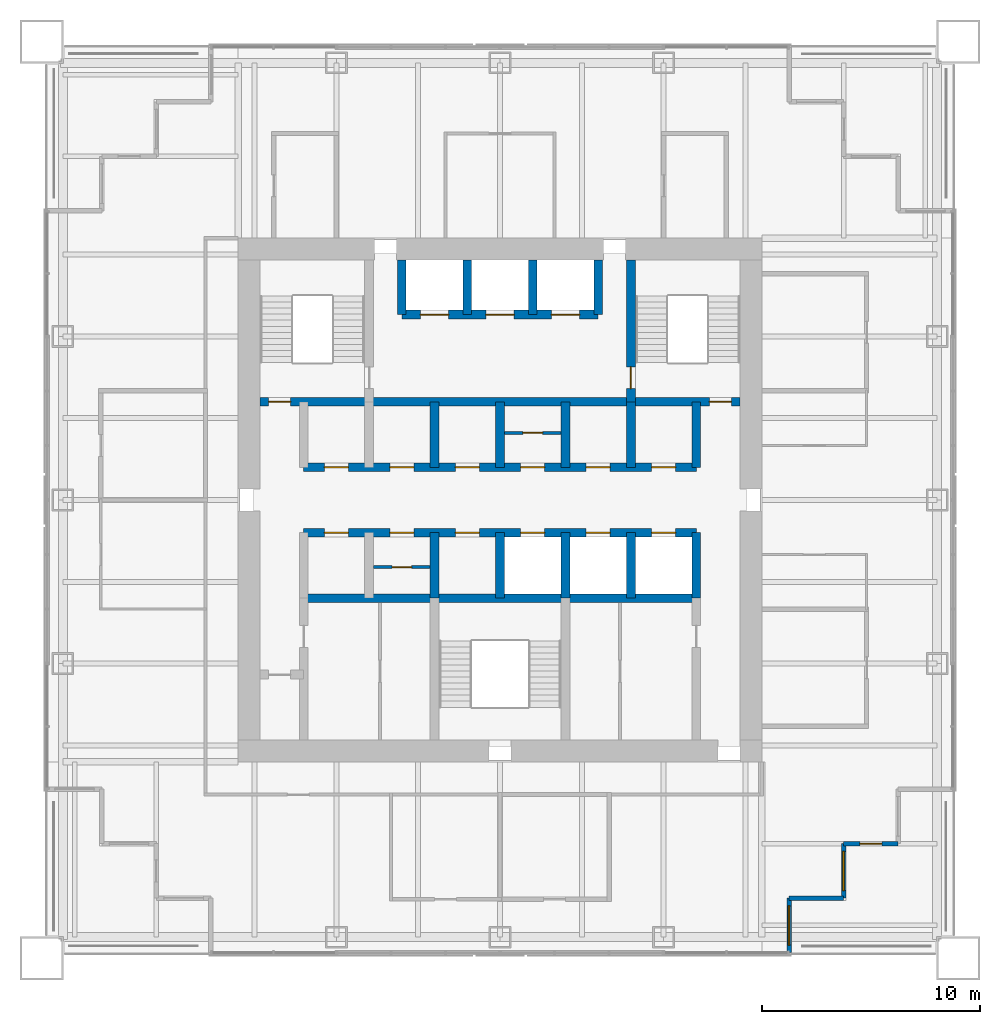
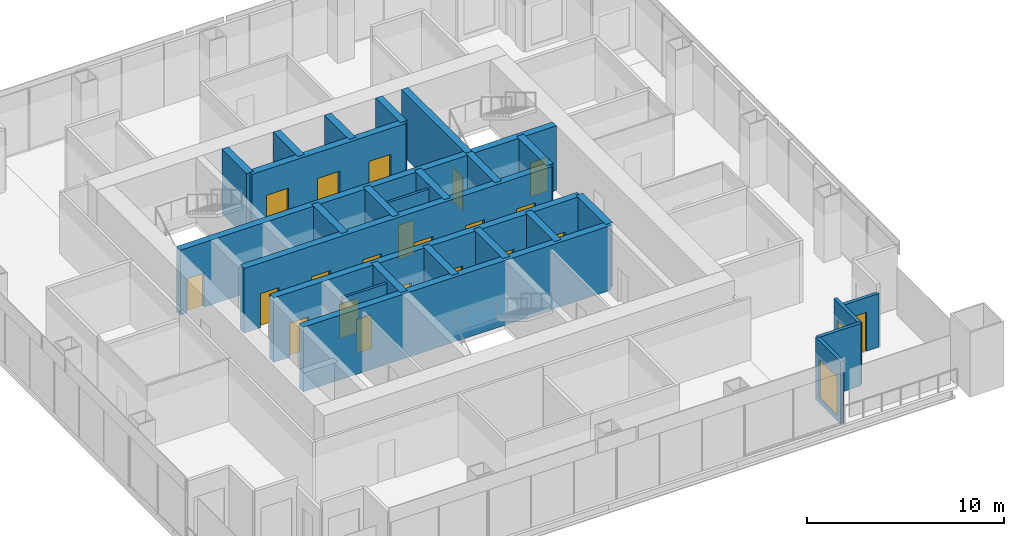
# One storey, part 10 of 14: 26 walls, 21 doors, 2 windows, 23 openings.
"""IFC4 building model written with IfcOpenShell, lengths in metres."""

from ifc_helpers import new_model, si_unit, direction, frame, frame_2d, origin, place, context, subcontext, project, spatial, rectangle, extrude, material, layer, layer_set, type_object, element, fill, save


model = new_model("IFC4")

# Units and contexts
model_context = context("Model", 3, precision=1e-05, world=origin(), true_north=direction((0.0, 1.0)))
body_context = subcontext(model_context, "Body", "Model", "MODEL_VIEW")
ifc_project = project(units=[si_unit("LENGTHUNIT", "METRE"), si_unit("AREAUNIT", "SQUARE_METRE"), si_unit("VOLUMEUNIT", "CUBIC_METRE"), si_unit("PLANEANGLEUNIT", "RADIAN"), si_unit("MASSUNIT", "GRAM", prefix="KILO")], contexts=[model_context])

# Site, building, storey
site_placement = place(None, origin())
site = spatial("IfcSite", under=ifc_project, at=site_placement, CompositionType="ELEMENT")
building_placement = place(site_placement, origin())
building = spatial("IfcBuilding", under=site, at=building_placement, Name="Tarangal Relay Tower", CompositionType="ELEMENT")
storey_placement = place(building_placement, frame((0.0, 0.0, 311.89990234375)))
storey = spatial("IfcBuildingStorey", under=building, at=storey_placement, Name="L69", CompositionType="ELEMENT", Elevation=311.89990234375)

# Wall, openings, doors
ifc_material_1 = material(Name="Concrete fc' 60 MPa", Category="concrete")
ifc_layer_1 = layer(ifc_material_1, 0.39990234375)
ifc_layer_set_1 = layer_set([ifc_layer_1], Name="Core inner wall 400")
wall_type_1 = type_object("IfcWallType", Name="Core inner wall 400", PredefinedType="SHEAR", material=ifc_layer_set_1)
wall_1_placement = place(storey_placement, frame((-11.0, 4.5, 0.0), z_axis=(0.0, 0.0, 1.0), x_axis=(1.0, 0.0, 0.0)))
wall_1 = element("IfcWall", 1, at=wall_1_placement, inside=storey, type_object=wall_type_1, Name="Core wall Y45 L69", PredefinedType="SHEAR", context=body_context, shape_type="SweptSolid", body=[
    extrude(rectangle(XDim=22.0, YDim=0.39990234375, at=frame_2d((11.0, 0.0))), origin(), (0.0, 0.0, 1.0), 4.0),
])
opening_1_placement = place(wall_1_placement, frame((0.39990234375, 0.0, 0.0)))
opening_1 = element("IfcOpeningElement", 2, at=opening_1_placement, cuts=wall_1, Name="Opening FD1", PredefinedType="OPENING", context=body_context, shape_type="SweptSolid", body=[
    extrude(rectangle(XDim=1.0, YDim=2.10009765625, at=frame_2d((0.5, 1.050048828125))), frame((0.0, 0.2099609375, 0.0), z_axis=(0.0, -1.0, 0.0), x_axis=(1.0, 0.0, 0.0)), (0.0, 0.0, 1.0), 0.419921875),
])
opening_2_placement = place(wall_1_placement, frame((20.60009765625, 0.0, 0.0)))
opening_2 = element("IfcOpeningElement", 3, at=opening_2_placement, cuts=wall_1, Name="Opening FD1", PredefinedType="OPENING", context=body_context, shape_type="SweptSolid", body=[
    extrude(rectangle(XDim=1.0, YDim=2.10009765625, at=frame_2d((0.5, 1.050048828125))), frame((0.0, 0.2099609375, 0.0), z_axis=(0.0, -1.0, 0.0), x_axis=(1.0, 0.0, 0.0)), (0.0, 0.0, 1.0), 0.419921875),
])
ifc_material_2 = material(Name="Steel door with hardwood frame", Category="steel")
door_type_1 = type_object("IfcDoorType", Name="Fire door 1000 x 2100", OperationType="SINGLE_SWING_LEFT", PredefinedType="DOOR", material=ifc_material_2)
door_1_placement = place(opening_1_placement, origin())
door_1 = element("IfcDoor", 4, at=door_1_placement, inside=storey, type_object=door_type_1, Name="Stair ST-A door from corridor L69", OperationType="SINGLE_SWING_LEFT", OverallHeight=2.10009765625, OverallWidth=1.0, PredefinedType="DOOR", context=body_context, shape_type="SweptSolid", body=[
    extrude(rectangle(XDim=1.0, YDim=2.10009765625, at=frame_2d((0.5, 1.050048828125))), frame((0.0, 0.02490234375, 0.0), z_axis=(0.0, -1.0, 0.0), x_axis=(1.0, 0.0, 0.0)), (0.0, 0.0, 1.0), 0.050048828125),
])
fill(opening_1, door_1)
door_2_placement = place(opening_2_placement, origin())
door_2 = element("IfcDoor", 5, at=door_2_placement, inside=storey, type_object=door_type_1, Name="Stair ST-B door from corridor L69", OperationType="SINGLE_SWING_LEFT", OverallHeight=2.10009765625, OverallWidth=1.0, PredefinedType="DOOR", context=body_context, shape_type="SweptSolid", body=[
    extrude(rectangle(XDim=1.0, YDim=2.10009765625, at=frame_2d((0.5, 1.050048828125))), frame((0.0, 0.02490234375, 0.0), z_axis=(0.0, -1.0, 0.0), x_axis=(1.0, 0.0, 0.0)), (0.0, 0.0, 1.0), 0.050048828125),
])
fill(opening_2, door_2)

wall_2_placement = place(storey_placement, frame((-9.0, 1.5, 0.0), z_axis=(0.0, 0.0, 1.0), x_axis=(1.0, 0.0, 0.0)))
wall_2 = element("IfcWall", 6, at=wall_2_placement, inside=storey, type_object=wall_type_1, Name="Core wall Y15 L69", PredefinedType="SHEAR", context=body_context, shape_type="SweptSolid", body=[
    extrude(rectangle(XDim=18.0, YDim=0.39990234375, at=frame_2d((9.0, 0.0))), origin(), (0.0, 0.0, 1.0), 4.0),
])
opening_3_placement = place(wall_2_placement, frame((0.949951171875, 0.0, 0.0)))
opening_3 = element("IfcOpeningElement", 7, at=opening_3_placement, cuts=wall_2, Name="Opening D4", PredefinedType="OPENING", context=body_context, shape_type="SweptSolid", body=[
    extrude(rectangle(XDim=1.10009765625, YDim=2.10009765625, at=frame_2d((0.550048828125, 1.050048828125))), frame((0.0, 0.2099609375, 0.0), z_axis=(0.0, -1.0, 0.0), x_axis=(1.0, 0.0, 0.0)), (0.0, 0.0, 1.0), 0.419921875),
])
opening_4_placement = place(wall_2_placement, frame((3.949951171875, 0.0, 0.0)))
opening_4 = element("IfcOpeningElement", 8, at=opening_4_placement, cuts=wall_2, Name="Opening D4", PredefinedType="OPENING", context=body_context, shape_type="SweptSolid", body=[
    extrude(rectangle(XDim=1.10009765625, YDim=2.10009765625, at=frame_2d((0.550048828125, 1.050048828125))), frame((0.0, 0.2099609375, 0.0), z_axis=(0.0, -1.0, 0.0), x_axis=(1.0, 0.0, 0.0)), (0.0, 0.0, 1.0), 0.419921875),
])
opening_5_placement = place(wall_2_placement, frame((6.949951171875, 0.0, 0.0)))
opening_5 = element("IfcOpeningElement", 9, at=opening_5_placement, cuts=wall_2, Name="Opening D4", PredefinedType="OPENING", context=body_context, shape_type="SweptSolid", body=[
    extrude(rectangle(XDim=1.10009765625, YDim=2.10009765625, at=frame_2d((0.550048828125, 1.050048828125))), frame((0.0, 0.2099609375, 0.0), z_axis=(0.0, -1.0, 0.0), x_axis=(1.0, 0.0, 0.0)), (0.0, 0.0, 1.0), 0.419921875),
])
opening_6_placement = place(wall_2_placement, frame((9.949951171875, 0.0, 0.0)))
opening_6 = element("IfcOpeningElement", 10, at=opening_6_placement, cuts=wall_2, Name="Opening D4", PredefinedType="OPENING", context=body_context, shape_type="SweptSolid", body=[
    extrude(rectangle(XDim=1.10009765625, YDim=2.10009765625, at=frame_2d((0.550048828125, 1.050048828125))), frame((0.0, 0.2099609375, 0.0), z_axis=(0.0, -1.0, 0.0), x_axis=(1.0, 0.0, 0.0)), (0.0, 0.0, 1.0), 0.419921875),
])
opening_7_placement = place(wall_2_placement, frame((12.949951171875, 0.0, 0.0)))
opening_7 = element("IfcOpeningElement", 11, at=opening_7_placement, cuts=wall_2, Name="Opening D4", PredefinedType="OPENING", context=body_context, shape_type="SweptSolid", body=[
    extrude(rectangle(XDim=1.10009765625, YDim=2.10009765625, at=frame_2d((0.550048828125, 1.050048828125))), frame((0.0, 0.2099609375, 0.0), z_axis=(0.0, -1.0, 0.0), x_axis=(1.0, 0.0, 0.0)), (0.0, 0.0, 1.0), 0.419921875),
])
opening_8_placement = place(wall_2_placement, frame((15.949951171875, 0.0, 0.0)))
opening_8 = element("IfcOpeningElement", 12, at=opening_8_placement, cuts=wall_2, Name="Opening D4", PredefinedType="OPENING", context=body_context, shape_type="SweptSolid", body=[
    extrude(rectangle(XDim=1.10009765625, YDim=2.10009765625, at=frame_2d((0.550048828125, 1.050048828125))), frame((0.0, 0.2099609375, 0.0), z_axis=(0.0, -1.0, 0.0), x_axis=(1.0, 0.0, 0.0)), (0.0, 0.0, 1.0), 0.419921875),
])
door_type_2 = type_object("IfcDoorType", Name="Core room door 1100 x 2100", OperationType="SINGLE_SWING_RIGHT", PredefinedType="DOOR", material=ifc_material_2)
door_3_placement = place(opening_3_placement, origin())
door_3 = element("IfcDoor", 13, at=door_3_placement, inside=storey, type_object=door_type_2, Name="Door D4 to cleaner's store L69-D1", OperationType="SINGLE_SWING_RIGHT", OverallHeight=2.10009765625, OverallWidth=1.10009765625, PredefinedType="DOOR", context=body_context, shape_type="SweptSolid", body=[
    extrude(rectangle(XDim=1.10009765625, YDim=2.10009765625, at=frame_2d((0.550048828125, 1.050048828125))), frame((0.0, 0.02490234375, 0.0), z_axis=(0.0, -1.0, 0.0), x_axis=(1.0, 0.0, 0.0)), (0.0, 0.0, 1.0), 0.050048828125),
])
fill(opening_3, door_3)
door_4_placement = place(opening_4_placement, origin())
door_4 = element("IfcDoor", 14, at=door_4_placement, inside=storey, type_object=door_type_2, Name="Door D4 to staff wc L69-D2", OperationType="SINGLE_SWING_RIGHT", OverallHeight=2.10009765625, OverallWidth=1.10009765625, PredefinedType="DOOR", context=body_context, shape_type="SweptSolid", body=[
    extrude(rectangle(XDim=1.10009765625, YDim=2.10009765625, at=frame_2d((0.550048828125, 1.050048828125))), frame((0.0, 0.02490234375, 0.0), z_axis=(0.0, -1.0, 0.0), x_axis=(1.0, 0.0, 0.0)), (0.0, 0.0, 1.0), 0.050048828125),
])
fill(opening_4, door_4)
door_5_placement = place(opening_5_placement, origin())
door_5 = element("IfcDoor", 15, at=door_5_placement, inside=storey, type_object=door_type_2, Name="Door D4 to staff pantry L69-D3", OperationType="SINGLE_SWING_RIGHT", OverallHeight=2.10009765625, OverallWidth=1.10009765625, PredefinedType="DOOR", context=body_context, shape_type="SweptSolid", body=[
    extrude(rectangle(XDim=1.10009765625, YDim=2.10009765625, at=frame_2d((0.550048828125, 1.050048828125))), frame((0.0, 0.02490234375, 0.0), z_axis=(0.0, -1.0, 0.0), x_axis=(1.0, 0.0, 0.0)), (0.0, 0.0, 1.0), 0.050048828125),
])
fill(opening_5, door_5)
door_6_placement = place(opening_6_placement, origin())
door_6 = element("IfcDoor", 16, at=door_6_placement, inside=storey, type_object=door_type_2, Name="Door D4 to it room L69-T1", OperationType="SINGLE_SWING_RIGHT", OverallHeight=2.10009765625, OverallWidth=1.10009765625, PredefinedType="DOOR", context=body_context, shape_type="SweptSolid", body=[
    extrude(rectangle(XDim=1.10009765625, YDim=2.10009765625, at=frame_2d((0.550048828125, 1.050048828125))), frame((0.0, 0.02490234375, 0.0), z_axis=(0.0, -1.0, 0.0), x_axis=(1.0, 0.0, 0.0)), (0.0, 0.0, 1.0), 0.050048828125),
])
fill(opening_6, door_6)
door_7_placement = place(opening_7_placement, origin())
door_7 = element("IfcDoor", 17, at=door_7_placement, inside=storey, type_object=door_type_2, Name="Door D4 to cleaner's store L69-T2", OperationType="SINGLE_SWING_RIGHT", OverallHeight=2.10009765625, OverallWidth=1.10009765625, PredefinedType="DOOR", context=body_context, shape_type="SweptSolid", body=[
    extrude(rectangle(XDim=1.10009765625, YDim=2.10009765625, at=frame_2d((0.550048828125, 1.050048828125))), frame((0.0, 0.02490234375, 0.0), z_axis=(0.0, -1.0, 0.0), x_axis=(1.0, 0.0, 0.0)), (0.0, 0.0, 1.0), 0.050048828125),
])
fill(opening_7, door_7)
door_8_placement = place(opening_8_placement, origin())
door_8 = element("IfcDoor", 18, at=door_8_placement, inside=storey, type_object=door_type_2, Name="Door D4 to staff wc L69-T3", OperationType="SINGLE_SWING_RIGHT", OverallHeight=2.10009765625, OverallWidth=1.10009765625, PredefinedType="DOOR", context=body_context, shape_type="SweptSolid", body=[
    extrude(rectangle(XDim=1.10009765625, YDim=2.10009765625, at=frame_2d((0.550048828125, 1.050048828125))), frame((0.0, 0.02490234375, 0.0), z_axis=(0.0, -1.0, 0.0), x_axis=(1.0, 0.0, 0.0)), (0.0, 0.0, 1.0), 0.050048828125),
])
fill(opening_8, door_8)

wall_3_placement = place(storey_placement, frame((-9.0, -1.5, 0.0), z_axis=(0.0, 0.0, 1.0), x_axis=(1.0, 0.0, 0.0)))
wall_3 = element("IfcWall", 19, at=wall_3_placement, inside=storey, type_object=wall_type_1, Name="Core wall YM15 L69", PredefinedType="SHEAR", context=body_context, shape_type="SweptSolid", body=[
    extrude(rectangle(XDim=18.0, YDim=0.39990234375, at=frame_2d((9.0, 0.0))), origin(), (0.0, 0.0, 1.0), 4.0),
])
opening_9_placement = place(wall_3_placement, frame((9.949951171875, 0.0, 0.0)))
opening_9 = element("IfcOpeningElement", 20, at=opening_9_placement, cuts=wall_3, Name="Opening LD1", PredefinedType="OPENING", context=body_context, shape_type="SweptSolid", body=[
    extrude(rectangle(XDim=1.10009765625, YDim=2.10009765625, at=frame_2d((0.550048828125, 1.050048828125))), frame((0.0, 0.2099609375, 0.0), z_axis=(0.0, -1.0, 0.0), x_axis=(1.0, 0.0, 0.0)), (0.0, 0.0, 1.0), 0.419921875),
])
opening_10_placement = place(wall_3_placement, frame((12.949951171875, 0.0, 0.0)))
opening_10 = element("IfcOpeningElement", 21, at=opening_10_placement, cuts=wall_3, Name="Opening LD1", PredefinedType="OPENING", context=body_context, shape_type="SweptSolid", body=[
    extrude(rectangle(XDim=1.10009765625, YDim=2.10009765625, at=frame_2d((0.550048828125, 1.050048828125))), frame((0.0, 0.2099609375, 0.0), z_axis=(0.0, -1.0, 0.0), x_axis=(1.0, 0.0, 0.0)), (0.0, 0.0, 1.0), 0.419921875),
])
opening_11_placement = place(wall_3_placement, frame((15.949951171875, 0.0, 0.0)))
opening_11 = element("IfcOpeningElement", 22, at=opening_11_placement, cuts=wall_3, Name="Opening LD1", PredefinedType="OPENING", context=body_context, shape_type="SweptSolid", body=[
    extrude(rectangle(XDim=1.10009765625, YDim=2.10009765625, at=frame_2d((0.550048828125, 1.050048828125))), frame((0.0, 0.2099609375, 0.0), z_axis=(0.0, -1.0, 0.0), x_axis=(1.0, 0.0, 0.0)), (0.0, 0.0, 1.0), 0.419921875),
])
opening_12_placement = place(wall_3_placement, frame((0.949951171875, 0.0, 0.0)))
opening_12 = element("IfcOpeningElement", 23, at=opening_12_placement, cuts=wall_3, Name="Opening D4", PredefinedType="OPENING", context=body_context, shape_type="SweptSolid", body=[
    extrude(rectangle(XDim=1.10009765625, YDim=2.10009765625, at=frame_2d((0.550048828125, 1.050048828125))), frame((0.0, 0.2099609375, 0.0), z_axis=(0.0, -1.0, 0.0), x_axis=(1.0, 0.0, 0.0)), (0.0, 0.0, 1.0), 0.419921875),
])
opening_13_placement = place(wall_3_placement, frame((3.949951171875, 0.0, 0.0)))
opening_13 = element("IfcOpeningElement", 24, at=opening_13_placement, cuts=wall_3, Name="Opening D4", PredefinedType="OPENING", context=body_context, shape_type="SweptSolid", body=[
    extrude(rectangle(XDim=1.10009765625, YDim=2.10009765625, at=frame_2d((0.550048828125, 1.050048828125))), frame((0.0, 0.2099609375, 0.0), z_axis=(0.0, -1.0, 0.0), x_axis=(1.0, 0.0, 0.0)), (0.0, 0.0, 1.0), 0.419921875),
])
opening_14_placement = place(wall_3_placement, frame((6.949951171875, 0.0, 0.0)))
opening_14 = element("IfcOpeningElement", 25, at=opening_14_placement, cuts=wall_3, Name="Opening D4", PredefinedType="OPENING", context=body_context, shape_type="SweptSolid", body=[
    extrude(rectangle(XDim=1.10009765625, YDim=2.10009765625, at=frame_2d((0.550048828125, 1.050048828125))), frame((0.0, 0.2099609375, 0.0), z_axis=(0.0, -1.0, 0.0), x_axis=(1.0, 0.0, 0.0)), (0.0, 0.0, 1.0), 0.419921875),
])
door_9_placement = place(opening_12_placement, origin())
door_9 = element("IfcDoor", 26, at=door_9_placement, inside=storey, type_object=door_type_2, Name="Door D4 to staff pantry L69-S1", OperationType="SINGLE_SWING_RIGHT", OverallHeight=2.10009765625, OverallWidth=1.10009765625, PredefinedType="DOOR", context=body_context, shape_type="SweptSolid", body=[
    extrude(rectangle(XDim=1.10009765625, YDim=2.10009765625, at=frame_2d((0.550048828125, 1.050048828125))), frame((0.0, 0.02490234375, 0.0), z_axis=(0.0, -1.0, 0.0), x_axis=(1.0, 0.0, 0.0)), (0.0, 0.0, 1.0), 0.050048828125),
])
fill(opening_12, door_9)
door_10_placement = place(opening_13_placement, origin())
door_10 = element("IfcDoor", 27, at=door_10_placement, inside=storey, type_object=door_type_2, Name="Door D4 to it room L69-S2", OperationType="SINGLE_SWING_RIGHT", OverallHeight=2.10009765625, OverallWidth=1.10009765625, PredefinedType="DOOR", context=body_context, shape_type="SweptSolid", body=[
    extrude(rectangle(XDim=1.10009765625, YDim=2.10009765625, at=frame_2d((0.550048828125, 1.050048828125))), frame((0.0, 0.02490234375, 0.0), z_axis=(0.0, -1.0, 0.0), x_axis=(1.0, 0.0, 0.0)), (0.0, 0.0, 1.0), 0.050048828125),
])
fill(opening_13, door_10)
door_11_placement = place(opening_14_placement, origin())
door_11 = element("IfcDoor", 28, at=door_11_placement, inside=storey, type_object=door_type_2, Name="Door D4 to cleaner's store L69-S3", OperationType="SINGLE_SWING_RIGHT", OverallHeight=2.10009765625, OverallWidth=1.10009765625, PredefinedType="DOOR", context=body_context, shape_type="SweptSolid", body=[
    extrude(rectangle(XDim=1.10009765625, YDim=2.10009765625, at=frame_2d((0.550048828125, 1.050048828125))), frame((0.0, 0.02490234375, 0.0), z_axis=(0.0, -1.0, 0.0), x_axis=(1.0, 0.0, 0.0)), (0.0, 0.0, 1.0), 0.050048828125),
])
fill(opening_14, door_11)
door_type_3 = type_object("IfcDoorType", Name="Lift landing door 1100 x 2100", OperationType="SLIDING_TO_LEFT", PredefinedType="DOOR", material=ifc_material_2)
door_12_placement = place(opening_9_placement, origin())
door_12 = element("IfcDoor", 29, at=door_12_placement, inside=storey, type_object=door_type_3, Name="Lift OH1 landing door L69", OperationType="SLIDING_TO_LEFT", OverallHeight=2.10009765625, OverallWidth=1.10009765625, PredefinedType="DOOR", context=body_context, shape_type="SweptSolid", body=[
    extrude(rectangle(XDim=1.10009765625, YDim=2.10009765625, at=frame_2d((0.550048828125, 1.050048828125))), frame((0.0, 0.02490234375, 0.0), z_axis=(0.0, -1.0, 0.0), x_axis=(1.0, 0.0, 0.0)), (0.0, 0.0, 1.0), 0.050048828125),
])
fill(opening_9, door_12)
door_13_placement = place(opening_10_placement, origin())
door_13 = element("IfcDoor", 30, at=door_13_placement, inside=storey, type_object=door_type_3, Name="Lift OH2 landing door L69", OperationType="SLIDING_TO_LEFT", OverallHeight=2.10009765625, OverallWidth=1.10009765625, PredefinedType="DOOR", context=body_context, shape_type="SweptSolid", body=[
    extrude(rectangle(XDim=1.10009765625, YDim=2.10009765625, at=frame_2d((0.550048828125, 1.050048828125))), frame((0.0, 0.02490234375, 0.0), z_axis=(0.0, -1.0, 0.0), x_axis=(1.0, 0.0, 0.0)), (0.0, 0.0, 1.0), 0.050048828125),
])
fill(opening_10, door_13)
door_14_placement = place(opening_11_placement, origin())
door_14 = element("IfcDoor", 31, at=door_14_placement, inside=storey, type_object=door_type_3, Name="Lift OH3 landing door L69", OperationType="SLIDING_TO_LEFT", OverallHeight=2.10009765625, OverallWidth=1.10009765625, PredefinedType="DOOR", context=body_context, shape_type="SweptSolid", body=[
    extrude(rectangle(XDim=1.10009765625, YDim=2.10009765625, at=frame_2d((0.550048828125, 1.050048828125))), frame((0.0, 0.02490234375, 0.0), z_axis=(0.0, -1.0, 0.0), x_axis=(1.0, 0.0, 0.0)), (0.0, 0.0, 1.0), 0.050048828125),
])
fill(opening_11, door_14)

# Wall
wall_4_placement = place(storey_placement, frame((-9.0, -4.5, 0.0), z_axis=(0.0, 0.0, 1.0), x_axis=(1.0, 0.0, 0.0)))
element("IfcWall", 32, at=wall_4_placement, inside=storey, type_object=wall_type_1, Name="Core wall YM45 L69", PredefinedType="SHEAR", context=body_context, shape_type="SweptSolid", body=[
    extrude(rectangle(XDim=18.0, YDim=0.39990234375, at=frame_2d((9.0, 0.0))), origin(), (0.0, 0.0, 1.0), 4.0),
])

# Wall, openings, doors
wall_5_placement = place(storey_placement, frame((-4.5, 8.5, 0.0), z_axis=(0.0, 0.0, 1.0), x_axis=(1.0, 0.0, 0.0)))
wall_5 = element("IfcWall", 33, at=wall_5_placement, inside=storey, type_object=wall_type_1, Name="Core wall Y85 L69", PredefinedType="SHEAR", context=body_context, shape_type="SweptSolid", body=[
    extrude(rectangle(XDim=9.0, YDim=0.39990234375, at=frame_2d((4.5, 0.0))), origin(), (0.0, 0.0, 1.0), 4.0),
])
opening_15_placement = place(wall_5_placement, frame((0.85009765625, 0.0, 0.0)))
opening_15 = element("IfcOpeningElement", 34, at=opening_15_placement, cuts=wall_5, Name="Opening LD2", PredefinedType="OPENING", context=body_context, shape_type="SweptSolid", body=[
    extrude(rectangle(XDim=1.300048828125, YDim=2.39990234375, at=frame_2d((0.64990234375, 1.199951171875))), frame((0.0, 0.2099609375, 0.0), z_axis=(0.0, -1.0, 0.0), x_axis=(1.0, 0.0, 0.0)), (0.0, 0.0, 1.0), 0.419921875),
])
opening_16_placement = place(wall_5_placement, frame((6.85009765625, 0.0, 0.0)))
opening_16 = element("IfcOpeningElement", 35, at=opening_16_placement, cuts=wall_5, Name="Opening LD2", PredefinedType="OPENING", context=body_context, shape_type="SweptSolid", body=[
    extrude(rectangle(XDim=1.300048828125, YDim=2.39990234375, at=frame_2d((0.64990234375, 1.199951171875))), frame((0.0, 0.2099609375, 0.0), z_axis=(0.0, -1.0, 0.0), x_axis=(1.0, 0.0, 0.0)), (0.0, 0.0, 1.0), 0.419921875),
])
opening_17_placement = place(wall_5_placement, frame((3.85009765625, 0.0, 0.0)))
opening_17 = element("IfcOpeningElement", 36, at=opening_17_placement, cuts=wall_5, Name="Opening LD2", PredefinedType="OPENING", context=body_context, shape_type="SweptSolid", body=[
    extrude(rectangle(XDim=1.300048828125, YDim=2.39990234375, at=frame_2d((0.64990234375, 1.199951171875))), frame((0.0, 0.2099609375, 0.0), z_axis=(0.0, -1.0, 0.0), x_axis=(1.0, 0.0, 0.0)), (0.0, 0.0, 1.0), 0.419921875),
])
door_type_4 = type_object("IfcDoorType", Name="Lift landing door 1300 x 2400", OperationType="SLIDING_TO_LEFT", PredefinedType="DOOR", material=ifc_material_2)
door_15_placement = place(opening_15_placement, origin())
door_15 = element("IfcDoor", 37, at=door_15_placement, inside=storey, type_object=door_type_4, Name="Lift FF1 landing door L69", OperationType="SLIDING_TO_LEFT", OverallHeight=2.39990234375, OverallWidth=1.300048828125, PredefinedType="DOOR", context=body_context, shape_type="SweptSolid", body=[
    extrude(rectangle(XDim=1.300048828125, YDim=2.39990234375, at=frame_2d((0.64990234375, 1.199951171875))), frame((0.0, 0.02490234375, 0.0), z_axis=(0.0, -1.0, 0.0), x_axis=(1.0, 0.0, 0.0)), (0.0, 0.0, 1.0), 0.050048828125),
])
fill(opening_15, door_15)
door_16_placement = place(opening_16_placement, origin())
door_16 = element("IfcDoor", 38, at=door_16_placement, inside=storey, type_object=door_type_4, Name="Lift FF2 landing door L69", OperationType="SLIDING_TO_LEFT", OverallHeight=2.39990234375, OverallWidth=1.300048828125, PredefinedType="DOOR", context=body_context, shape_type="SweptSolid", body=[
    extrude(rectangle(XDim=1.300048828125, YDim=2.39990234375, at=frame_2d((0.64990234375, 1.199951171875))), frame((0.0, 0.02490234375, 0.0), z_axis=(0.0, -1.0, 0.0), x_axis=(1.0, 0.0, 0.0)), (0.0, 0.0, 1.0), 0.050048828125),
])
fill(opening_16, door_16)
door_17_placement = place(opening_17_placement, origin())
door_17 = element("IfcDoor", 39, at=door_17_placement, inside=storey, type_object=door_type_4, Name="Lift SV1 landing door L69", OperationType="SLIDING_TO_LEFT", OverallHeight=2.39990234375, OverallWidth=1.300048828125, PredefinedType="DOOR", context=body_context, shape_type="SweptSolid", body=[
    extrude(rectangle(XDim=1.300048828125, YDim=2.39990234375, at=frame_2d((0.64990234375, 1.199951171875))), frame((0.0, 0.02490234375, 0.0), z_axis=(0.0, -1.0, 0.0), x_axis=(1.0, 0.0, 0.0)), (0.0, 0.0, 1.0), 0.050048828125),
])
fill(opening_17, door_17)

# Walls
for number, where, z_axis, x_axis, name in (
    (40, (9.0, 1.5, 0.0), (0.0, 0.0, 1.0), (0.0, 1.0, 0.0), "Core wall X9N L69"),
    (41, (9.0, -4.5, 0.0), (0.0, 0.0, 1.0), (0.0, 1.0, 0.0), "Core wall X9S L69"),
    (42, (-3.0, 1.5, 0.0), (0.0, 0.0, 1.0), (0.0, 1.0, 0.0), "Core wall XM3N L69"),
    (43, (0.0, 1.5, 0.0), (0.0, 0.0, 1.0), (0.0, 1.0, 0.0), "Core wall X0N L69"),
    (44, (3.0, 1.5, 0.0), (0.0, 0.0, 1.0), (0.0, 1.0, 0.0), "Core wall X3N L69"),
    (45, (6.0, 1.5, 0.0), (0.0, 0.0, 1.0), (0.0, 1.0, 0.0), "Core wall X6N L69"),
    (46, (-3.0, -4.5, 0.0), (0.0, 0.0, 1.0), (0.0, 1.0, 0.0), "Core wall XM3S L69"),
    (47, (0.0, -4.5, 0.0), (0.0, 0.0, 1.0), (0.0, 1.0, 0.0), "Core wall X0S L69"),
    (48, (3.0, -4.5, 0.0), (0.0, 0.0, 1.0), (0.0, 1.0, 0.0), "Core wall X3S L69"),
    (49, (6.0, -4.5, 0.0), (0.0, 0.0, 1.0), (0.0, 1.0, 0.0), "Core wall X6S L69"),
):
    element("IfcWall", number, at=place(storey_placement, frame(where, z_axis=z_axis, x_axis=x_axis)), inside=storey, type_object=wall_type_1, Name=name, PredefinedType="SHEAR", context=body_context, shape_type="SweptSolid", body=[
        extrude(rectangle(XDim=3.0, YDim=0.39990234375, at=frame_2d((1.5, 0.0))), origin(), (0.0, 0.0, 1.0), 4.0),
    ])

# Wall, opening, door
wall_6_placement = place(storey_placement, frame((6.0, 4.5, 0.0), z_axis=(0.0, 0.0, 1.0), x_axis=(0.0, 1.0, 0.0)))
wall_6 = element("IfcWall", 50, at=wall_6_placement, inside=storey, type_object=wall_type_1, Name="Core wall X6 L69", PredefinedType="SHEAR", context=body_context, shape_type="SweptSolid", body=[
    extrude(rectangle(XDim=6.5, YDim=0.39990234375, at=frame_2d((3.25, 0.0))), origin(), (0.0, 0.0, 1.0), 4.0),
])
opening_18_placement = place(wall_6_placement, frame((0.60009765625, 0.0, 0.0)))
opening_18 = element("IfcOpeningElement", 51, at=opening_18_placement, cuts=wall_6, Name="Opening FD1", PredefinedType="OPENING", context=body_context, shape_type="SweptSolid", body=[
    extrude(rectangle(XDim=1.0, YDim=2.10009765625, at=frame_2d((0.5, 1.050048828125))), frame((0.0, 0.2099609375, 0.0), z_axis=(0.0, -1.0, 0.0), x_axis=(1.0, 0.0, 0.0)), (0.0, 0.0, 1.0), 0.419921875),
])
door_18_placement = place(opening_18_placement, origin())
door_18 = element("IfcDoor", 52, at=door_18_placement, inside=storey, type_object=door_type_1, Name="Stair ST-B door from fire-fighting lobby L69", OperationType="SINGLE_SWING_LEFT", OverallHeight=2.10009765625, OverallWidth=1.0, PredefinedType="DOOR", context=body_context, shape_type="SweptSolid", body=[
    extrude(rectangle(XDim=1.0, YDim=2.10009765625, at=frame_2d((0.5, 1.050048828125))), frame((0.0, 0.02490234375, 0.0), z_axis=(0.0, -1.0, 0.0), x_axis=(1.0, 0.0, 0.0)), (0.0, 0.0, 1.0), 0.050048828125),
])
fill(opening_18, door_18)

# Walls
for number, where, z_axis, x_axis, name in (
    (53, (-4.5, 8.5, 0.0), (0.0, 0.0, 1.0), (0.0, 1.0, 0.0), "Core wall XM45 L69"),
    (54, (4.5, 8.5, 0.0), (0.0, 0.0, 1.0), (0.0, 1.0, 0.0), "Core wall X45 L69"),
    (55, (-1.5, 8.5, 0.0), (0.0, 0.0, 1.0), (0.0, 1.0, 0.0), "Core wall XM15 L69"),
    (56, (1.5, 8.5, 0.0), (0.0, 0.0, 1.0), (0.0, 1.0, 0.0), "Core wall X15 L69"),
):
    element("IfcWall", number, at=place(storey_placement, frame(where, z_axis=z_axis, x_axis=x_axis)), inside=storey, type_object=wall_type_1, Name=name, PredefinedType="SHEAR", context=body_context, shape_type="SweptSolid", body=[
        extrude(rectangle(XDim=2.5, YDim=0.39990234375, at=frame_2d((1.25, 0.0))), origin(), (0.0, 0.0, 1.0), 4.0),
    ])

# Wall, opening, door
ifc_material_3 = material(Name="Black metal clad insulated wall", Category="steel")
ifc_layer_2 = layer(ifc_material_3, 0.199951171875)
ifc_layer_set_2 = layer_set([ifc_layer_2], Name="Corner wall metal clad 200")
wall_type_2 = type_object("IfcWallType", Name="Corner wall metal clad 200", PredefinedType="SOLIDWALL", material=ifc_layer_set_2)
wall_7_placement = place(storey_placement, frame((18.25, -15.75, 0.0), z_axis=(0.0, 0.0, 1.0), x_axis=(-1.0, 0.0, 0.0)))
wall_7 = element("IfcWall", 57, at=wall_7_placement, inside=storey, type_object=wall_type_2, Name="Facade wall E facade L69", PredefinedType="SOLIDWALL", context=body_context, shape_type="SweptSolid", body=[
    extrude(rectangle(XDim=2.5, YDim=0.199951171875, at=frame_2d((1.25, 0.0))), origin(), (0.0, 0.0, 1.0), 3.316650390625),
])
opening_19_placement = place(wall_7_placement, frame((0.75, 0.0, 0.0)))
opening_19 = element("IfcOpeningElement", 58, at=opening_19_placement, cuts=wall_7, Name="Opening TD1", PredefinedType="OPENING", context=body_context, shape_type="SweptSolid", body=[
    extrude(rectangle(XDim=1.0, YDim=2.39990234375, at=frame_2d((0.5, 1.199951171875))), frame((0.0, 0.10986328125, 0.0), z_axis=(0.0, -1.0, 0.0), x_axis=(1.0, 0.0, 0.0)), (0.0, 0.0, 1.0), 0.219970703125),
])
ifc_material_4 = material(Name="Aluminium glazed door", Category="aluminium")
door_type_5 = type_object("IfcDoorType", Name="Terrace door 1000 x 2400", OperationType="SINGLE_SWING_RIGHT", PredefinedType="DOOR", material=ifc_material_4)
door_19_placement = place(opening_19_placement, origin())
door_19 = element("IfcDoor", 59, at=door_19_placement, inside=storey, type_object=door_type_5, Name="Terrace door TD1 SE L69", OperationType="SINGLE_SWING_RIGHT", OverallHeight=2.39990234375, OverallWidth=1.0, PredefinedType="DOOR", context=body_context, shape_type="SweptSolid", body=[
    extrude(rectangle(XDim=1.0, YDim=2.39990234375, at=frame_2d((0.5, 1.199951171875))), frame((0.0, 0.02490234375, 0.0), z_axis=(0.0, -1.0, 0.0), x_axis=(1.0, 0.0, 0.0)), (0.0, 0.0, 1.0), 0.050048828125),
])
fill(opening_19, door_19)

# Wall, opening, window
wall_8_placement = place(storey_placement, frame((15.75, -15.75, 0.0), z_axis=(0.0, 0.0, 1.0), x_axis=(0.0, -1.0, 0.0)))
wall_8 = element("IfcWall", 60, at=wall_8_placement, inside=storey, type_object=wall_type_2, Name="Facade wall E facade L69", PredefinedType="SOLIDWALL", context=body_context, shape_type="SweptSolid", body=[
    extrude(rectangle(XDim=2.5, YDim=0.199951171875, at=frame_2d((1.25, 0.0))), origin(), (0.0, 0.0, 1.0), 3.85009765625),
])
opening_20_placement = place(wall_8_placement, frame((0.35009765625, 0.0, 0.300048828125)))
opening_20 = element("IfcOpeningElement", 61, at=opening_20_placement, cuts=wall_8, Name="Opening WN2", PredefinedType="OPENING", context=body_context, shape_type="SweptSolid", body=[
    extrude(rectangle(XDim=1.800048828125, YDim=2.39990234375, at=frame_2d((0.89990234375, 1.199951171875))), frame((0.0, 0.10986328125, 0.0), z_axis=(0.0, -1.0, 0.0), x_axis=(1.0, 0.0, 0.0)), (0.0, 0.0, 1.0), 0.219970703125),
])
ifc_material_5 = material(Name="Dark tinted double glazing in black aluminium frame", Category="aluminium")
window_type = type_object("IfcWindowType", Name="Corner window 1800 x 2400", PartitioningType="SINGLE_PANEL", PredefinedType="WINDOW", material=ifc_material_5)
window_1_placement = place(opening_20_placement, origin())
window_1 = element("IfcWindow", 62, at=window_1_placement, inside=storey, type_object=window_type, Name="Corner window WN2 E facade L69", OverallHeight=2.39990234375, OverallWidth=1.800048828125, PartitioningType="SINGLE_PANEL", PredefinedType="WINDOW", context=body_context, shape_type="SweptSolid", body=[
    extrude(rectangle(XDim=1.800048828125, YDim=2.39990234375, at=frame_2d((0.89990234375, 1.199951171875))), frame((0.0, 0.030029296875, 0.0), z_axis=(0.0, -1.0, 0.0), x_axis=(1.0, 0.0, 0.0)), (0.0, 0.0, 1.0), 0.06005859375),
])
fill(opening_20, window_1)

# Wall
wall_9_placement = place(storey_placement, frame((15.75, -18.25, 0.0), z_axis=(0.0, 0.0, 1.0), x_axis=(-1.0, 0.0, 0.0)))
element("IfcWall", 63, at=wall_9_placement, inside=storey, type_object=wall_type_2, Name="Facade wall E facade L69", PredefinedType="SOLIDWALL", context=body_context, shape_type="SweptSolid", body=[
    extrude(rectangle(XDim=2.5, YDim=0.199951171875, at=frame_2d((1.25, 0.0))), origin(), (0.0, 0.0, 1.0), 3.85009765625),
])

# Wall, opening, window
wall_10_placement = place(storey_placement, frame((13.25, -18.25, 0.0), z_axis=(0.0, 0.0, 1.0), x_axis=(0.0, -1.0, 0.0)))
wall_10 = element("IfcWall", 64, at=wall_10_placement, inside=storey, type_object=wall_type_2, Name="Facade wall E facade L69", PredefinedType="SOLIDWALL", context=body_context, shape_type="SweptSolid", body=[
    extrude(rectangle(XDim=2.5, YDim=0.199951171875, at=frame_2d((1.25, 0.0))), origin(), (0.0, 0.0, 1.0), 3.85009765625),
])
opening_21_placement = place(wall_10_placement, frame((0.35009765625, 0.0, 0.300048828125)))
opening_21 = element("IfcOpeningElement", 65, at=opening_21_placement, cuts=wall_10, Name="Opening WN2", PredefinedType="OPENING", context=body_context, shape_type="SweptSolid", body=[
    extrude(rectangle(XDim=1.800048828125, YDim=2.39990234375, at=frame_2d((0.89990234375, 1.199951171875))), frame((0.0, 0.10986328125, 0.0), z_axis=(0.0, -1.0, 0.0), x_axis=(1.0, 0.0, 0.0)), (0.0, 0.0, 1.0), 0.219970703125),
])
window_2_placement = place(opening_21_placement, origin())
window_2 = element("IfcWindow", 66, at=window_2_placement, inside=storey, type_object=window_type, Name="Corner window WN2 E facade L69", OverallHeight=2.39990234375, OverallWidth=1.800048828125, PartitioningType="SINGLE_PANEL", PredefinedType="WINDOW", context=body_context, shape_type="SweptSolid", body=[
    extrude(rectangle(XDim=1.800048828125, YDim=2.39990234375, at=frame_2d((0.89990234375, 1.199951171875))), frame((0.0, 0.030029296875, 0.0), z_axis=(0.0, -1.0, 0.0), x_axis=(1.0, 0.0, 0.0)), (0.0, 0.0, 1.0), 0.06005859375),
])
fill(opening_21, window_2)

# Wall, opening, door
ifc_material_6 = material(Name="Gypsum board on steel studs", Category="steel")
ifc_layer_3 = layer(ifc_material_6, 0.14990234375)
ifc_layer_set_3 = layer_set([ifc_layer_3], Name="Partition 150")
wall_type_3 = type_object("IfcWallType", Name="Partition 150", PredefinedType="PARTITIONING", material=ifc_layer_set_3)
wall_11_placement = place(storey_placement, frame((0.199951171875, 3.074951171875, 0.0), z_axis=(0.0, 0.0, 1.0), x_axis=(1.0, 0.0, 0.0)))
wall_11 = element("IfcWall", 67, at=wall_11_placement, inside=storey, type_object=wall_type_3, Name="Partition PT1 L69", PredefinedType="PARTITIONING", context=body_context, shape_type="SweptSolid", body=[
    extrude(rectangle(XDim=2.60009765625, YDim=0.14990234375, at=frame_2d((1.300048828125, 0.0))), origin(), (0.0, 0.0, 1.0), 3.75),
])
opening_22_placement = place(wall_11_placement, frame((0.85009765625, 0.0, 0.0)))
opening_22 = element("IfcOpeningElement", 68, at=opening_22_placement, cuts=wall_11, Name="Opening D5", PredefinedType="OPENING", context=body_context, shape_type="SweptSolid", body=[
    extrude(rectangle(XDim=0.89990234375, YDim=2.10009765625, at=frame_2d((0.449951171875, 1.050048828125))), frame((0.0, 0.0849609375, 0.0), z_axis=(0.0, -1.0, 0.0), x_axis=(1.0, 0.0, 0.0)), (0.0, 0.0, 1.0), 0.169921875),
])
ifc_material_7 = material(Name="Hardwood door", Category="wood")
door_type_6 = type_object("IfcDoorType", Name="Cupboard door 900 x 2100", OperationType="SINGLE_SWING_LEFT", PredefinedType="DOOR", material=ifc_material_7)
door_20_placement = place(opening_22_placement, origin())
door_20 = element("IfcDoor", 69, at=door_20_placement, inside=storey, type_object=door_type_6, Name="Door D5 to it patch cupboard L69-T1B", OperationType="SINGLE_SWING_LEFT", OverallHeight=2.10009765625, OverallWidth=0.89990234375, PredefinedType="DOOR", context=body_context, shape_type="SweptSolid", body=[
    extrude(rectangle(XDim=0.89990234375, YDim=2.10009765625, at=frame_2d((0.449951171875, 1.050048828125))), frame((0.0, 0.02490234375, 0.0), z_axis=(0.0, -1.0, 0.0), x_axis=(1.0, 0.0, 0.0)), (0.0, 0.0, 1.0), 0.050048828125),
])
fill(opening_22, door_20)

wall_12_placement = place(storey_placement, frame((-5.800048828125, -3.074951171875, 0.0), z_axis=(0.0, 0.0, 1.0), x_axis=(1.0, 0.0, 0.0)))
wall_12 = element("IfcWall", 70, at=wall_12_placement, inside=storey, type_object=wall_type_3, Name="Partition PT1 L69", PredefinedType="PARTITIONING", context=body_context, shape_type="SweptSolid", body=[
    extrude(rectangle(XDim=2.60009765625, YDim=0.14990234375, at=frame_2d((1.300048828125, 0.0))), origin(), (0.0, 0.0, 1.0), 3.75),
])
opening_23_placement = place(wall_12_placement, frame((0.85009765625, 0.0, 0.0)))
opening_23 = element("IfcOpeningElement", 71, at=opening_23_placement, cuts=wall_12, Name="Opening D5", PredefinedType="OPENING", context=body_context, shape_type="SweptSolid", body=[
    extrude(rectangle(XDim=0.89990234375, YDim=2.10009765625, at=frame_2d((0.449951171875, 1.050048828125))), frame((0.0, 0.0849609375, 0.0), z_axis=(0.0, -1.0, 0.0), x_axis=(1.0, 0.0, 0.0)), (0.0, 0.0, 1.0), 0.169921875),
])
door_21_placement = place(opening_23_placement, origin())
door_21 = element("IfcDoor", 72, at=door_21_placement, inside=storey, type_object=door_type_6, Name="Door D5 to it patch cupboard L69-S2B", OperationType="SINGLE_SWING_LEFT", OverallHeight=2.10009765625, OverallWidth=0.89990234375, PredefinedType="DOOR", context=body_context, shape_type="SweptSolid", body=[
    extrude(rectangle(XDim=0.89990234375, YDim=2.10009765625, at=frame_2d((0.449951171875, 1.050048828125))), frame((0.0, 0.02490234375, 0.0), z_axis=(0.0, -1.0, 0.0), x_axis=(1.0, 0.0, 0.0)), (0.0, 0.0, 1.0), 0.050048828125),
])
fill(opening_23, door_21)

save(model, "model.ifc")
